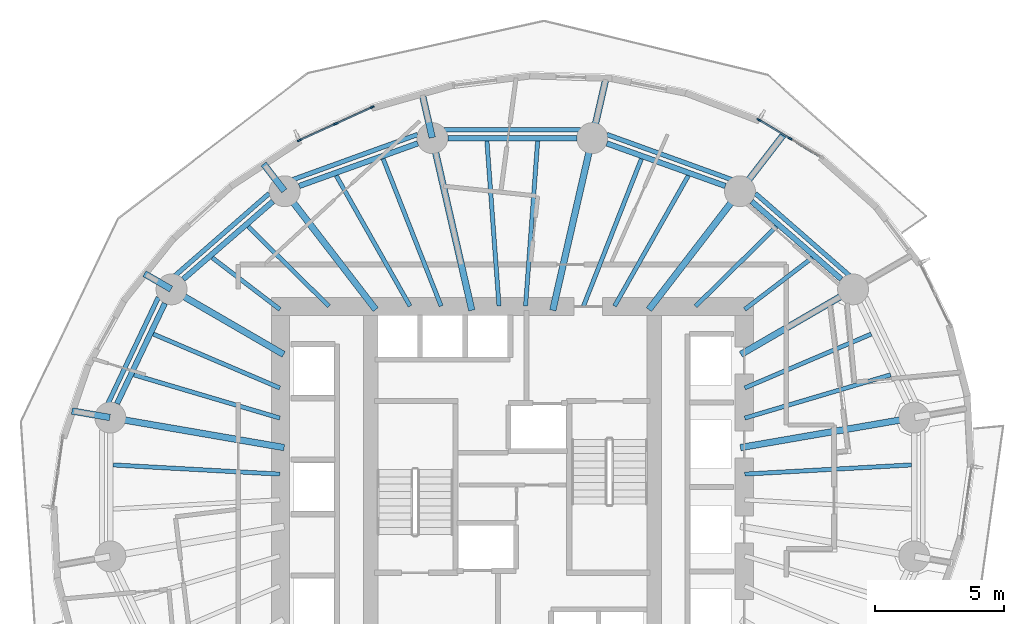
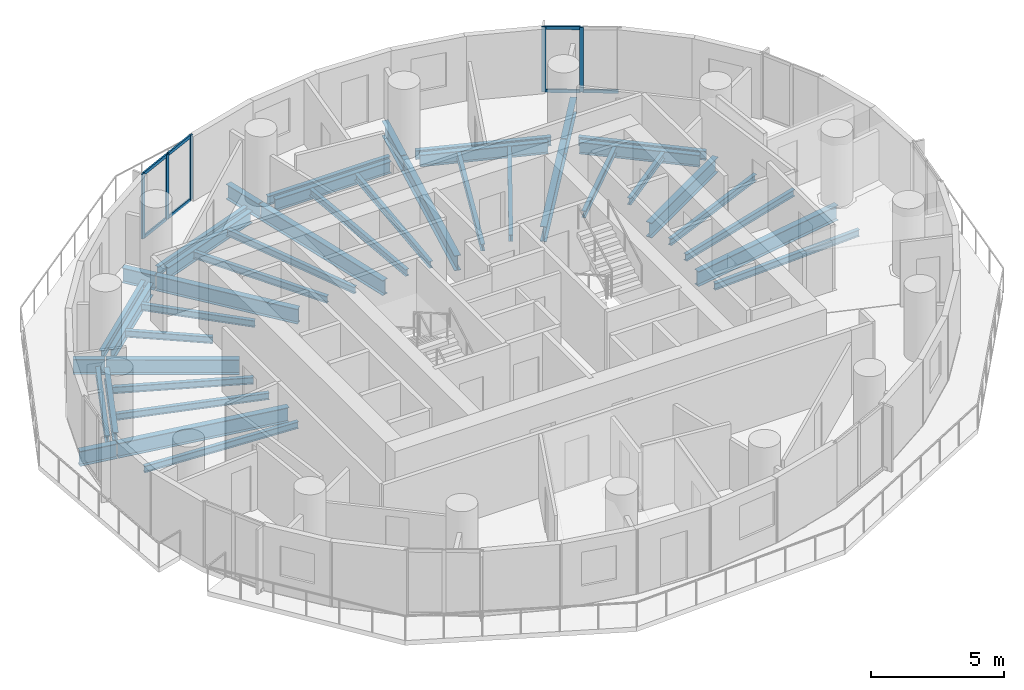
# One storey, part 4 of 14: 42 beams, 12 members, 2 elements without a shape of their own.
"""IFC4 building model written with IfcOpenShell, lengths in metres."""

from ifc_helpers import new_model, si_unit, direction, frame, origin, origin_2d, place, context, subcontext, project, spatial, rectangle, i_section, extrude, material, material_profile, profile_set, type_object, element, aggregate, save


model = new_model("IFC4")

# Units and contexts
model_context = context("Model", 3, precision=1e-05, world=origin(), true_north=direction((0.0, 1.0)))
body_context = subcontext(model_context, "Body", "Model", "MODEL_VIEW")
ifc_project = project(units=[si_unit("LENGTHUNIT", "METRE"), si_unit("AREAUNIT", "SQUARE_METRE"), si_unit("VOLUMEUNIT", "CUBIC_METRE"), si_unit("PLANEANGLEUNIT", "RADIAN"), si_unit("MASSUNIT", "GRAM", prefix="KILO")], contexts=[model_context])

# Site, building, storey
site_placement = place(None, origin())
site = spatial("IfcSite", under=ifc_project, at=site_placement, CompositionType="ELEMENT")
building_placement = place(site_placement, origin())
building = spatial("IfcBuilding", under=site, at=building_placement, Name="Veldorim Arch Residences", CompositionType="ELEMENT")
storey_placement = place(building_placement, frame((0.0, 0.0, 83.679931640625)))
storey = spatial("IfcBuildingStorey", under=building, at=storey_placement, Name="L24", CompositionType="ELEMENT", Elevation=83.679931640625)

# Beams
ifc_material_1 = material(Name="Steel S355", Category="steel")
ifc_material_profile_1 = material_profile(ifc_material_1, i_section(OverallWidth=0.2119140625, OverallDepth=0.54443359375, WebThickness=0.0126953125, FlangeThickness=0.021240234375, at=origin_2d()), Name="UB533x210x122")
ifc_profile_set_1 = profile_set([ifc_material_profile_1], Name="Steel S355")
beam_type_1 = type_object("IfcBeamType", Name="Structural Steel Beam UB533x210x122", PredefinedType="BEAM", material=ifc_profile_set_1)
beam_1_placement = place(storey_placement, frame((44.767333984375, 32.060302734375, -0.51220703125), z_axis=(-0.755244952556, 0.655442645576, 0.0), x_axis=(-0.655442645576, -0.755244952556, 0.0)))
element("IfcBeam", 1, at=beam_1_placement, inside=storey, type_object=beam_type_1, Name="L24 perimeter ring tie beam 02", PredefinedType="BEAM", context=body_context, shape_type="SweptSolid", body=[
    extrude(i_section(OverallWidth=0.2119140625, OverallDepth=0.54443359375, WebThickness=0.0126953125, FlangeThickness=0.021240234375, at=origin_2d()), origin(), (0.0, 0.0, 1.0), 4.608642578125),
])
beam_2_placement = place(storey_placement, frame((40.26904296875, 35.67724609375, -0.51220703125), z_axis=(-0.941041944493, 0.338289903343, 0.0), x_axis=(-0.338289903343, -0.941041944493, 0.0)))
element("IfcBeam", 2, at=beam_2_placement, inside=storey, type_object=beam_type_1, Name="L24 perimeter ring tie beam 03", PredefinedType="BEAM", context=body_context, shape_type="SweptSolid", body=[
    extrude(i_section(OverallWidth=0.2119140625, OverallDepth=0.54443359375, WebThickness=0.0126953125, FlangeThickness=0.021240234375, at=origin_2d()), origin(), (0.0, 0.0, 1.0), 4.890869140625),
])
beam_3_placement = place(storey_placement, frame((34.501953125, 37.534912109375, -0.51220703125), z_axis=(-1.0, 0.0, 0.0), x_axis=(0.0, -1.0, 0.0)))
element("IfcBeam", 3, at=beam_3_placement, inside=storey, type_object=beam_type_1, Name="L24 perimeter ring tie beam 04", PredefinedType="BEAM", context=body_context, shape_type="SweptSolid", body=[
    extrude(i_section(OverallWidth=0.2119140625, OverallDepth=0.54443359375, WebThickness=0.0126953125, FlangeThickness=0.021240234375, at=origin_2d()), origin(), (0.0, 0.0, 1.0), 5.00390625),
])
beam_4_placement = place(storey_placement, frame((28.33349609375, 37.331787109375, -0.51220703125), z_axis=(-0.941041944493, -0.338289903343, 0.0), x_axis=(0.338289903343, -0.941041944493, 0.0)))
element("IfcBeam", 4, at=beam_4_placement, inside=storey, type_object=beam_type_1, Name="L24 perimeter ring tie beam 05", PredefinedType="BEAM", context=body_context, shape_type="SweptSolid", body=[
    extrude(i_section(OverallWidth=0.2119140625, OverallDepth=0.54443359375, WebThickness=0.0126953125, FlangeThickness=0.021240234375, at=origin_2d()), origin(), (0.0, 0.0, 1.0), 4.890869140625),
])
beam_5_placement = place(storey_placement, frame((22.71337890625, 35.0810546875, -0.51220703125), z_axis=(-0.755244952556, -0.655442645576, 0.0), x_axis=(0.655442645576, -0.755244952556, 0.0)))
element("IfcBeam", 5, at=beam_5_placement, inside=storey, type_object=beam_type_1, Name="L24 perimeter ring tie beam 06", PredefinedType="BEAM", context=body_context, shape_type="SweptSolid", body=[
    extrude(i_section(OverallWidth=0.2119140625, OverallDepth=0.54443359375, WebThickness=0.0126953125, FlangeThickness=0.021240234375, at=origin_2d()), origin(), (0.0, 0.0, 1.0), 4.608642578125),
])
beam_6_placement = place(storey_placement, frame((18.521240234375, 31.12548828125, -0.51220703125), z_axis=(-0.430720154476, -0.902485539235, 0.0), x_axis=(0.902485539235, -0.430720154476, 0.0)))
element("IfcBeam", 6, at=beam_6_placement, inside=storey, type_object=beam_type_1, Name="L24 perimeter ring tie beam 07", PredefinedType="BEAM", context=body_context, shape_type="SweptSolid", body=[
    extrude(i_section(OverallWidth=0.2119140625, OverallDepth=0.54443359375, WebThickness=0.0126953125, FlangeThickness=0.021240234375, at=origin_2d()), origin(), (0.0, 0.0, 1.0), 4.312255859375),
])
ifc_material_2 = material(Name="Steel S355", Category="steel")
ifc_material_profile_2 = material_profile(ifc_material_2, i_section(OverallWidth=0.25439453125, OverallDepth=0.6875, WebThickness=0.01318359375, FlangeThickness=0.02099609375, at=origin_2d()), Name="UB686x254x152")
ifc_profile_set_2 = profile_set([ifc_material_profile_2], Name="Steel S355")
beam_type_2 = type_object("IfcBeamType", Name="Structural Steel GIRDER UB686x254x152", PredefinedType="USERDEFINED", material=ifc_profile_set_2)
beam_7_placement = place(storey_placement, frame((40.852294921875, 25.5283203125, -0.583740234375), z_axis=(0.985426622718, 0.17010106184, 0.0), x_axis=(-0.17010106184, 0.985426622718, 0.0)))
element("IfcBeam", 7, at=beam_7_placement, inside=storey, type_object=beam_type_2, Name="L24 radial floor girder 01", ObjectType="GIRDER", PredefinedType="USERDEFINED", context=body_context, shape_type="SweptSolid", body=[
    extrude(i_section(OverallWidth=0.25439453125, OverallDepth=0.6875, WebThickness=0.01318359375, FlangeThickness=0.02099609375, at=origin_2d()), origin(), (0.0, 0.0, 1.0), 6.82177734375),
])
beam_8_placement = place(storey_placement, frame((40.8701171875, 29.14404296875, -0.583740234375), z_axis=(0.865048957682, 0.501687453314, 0.0), x_axis=(-0.501687453314, 0.865048957682, 0.0)))
element("IfcBeam", 8, at=beam_8_placement, inside=storey, type_object=beam_type_2, Name="L24 radial floor girder 02", ObjectType="GIRDER", PredefinedType="USERDEFINED", context=body_context, shape_type="SweptSolid", body=[
    extrude(i_section(OverallWidth=0.25439453125, OverallDepth=0.6875, WebThickness=0.01318359375, FlangeThickness=0.02099609375, at=origin_2d()), origin(), (0.0, 0.0, 1.0), 5.009033203125),
])
beam_9_placement = place(storey_placement, frame((37.297607421875, 30.881103515625, -0.583740234375), z_axis=(0.609994628196, 0.792405548676, 0.0), x_axis=(-0.792405548676, 0.609994628196, 0.0)))
element("IfcBeam", 9, at=beam_9_placement, inside=storey, type_object=beam_type_2, Name="L24 radial floor girder 03", ObjectType="GIRDER", PredefinedType="USERDEFINED", context=body_context, shape_type="SweptSolid", body=[
    extrude(i_section(OverallWidth=0.25439453125, OverallDepth=0.6875, WebThickness=0.01318359375, FlangeThickness=0.02099609375, at=origin_2d()), origin(), (0.0, 0.0, 1.0), 5.776611328125),
])
beam_10_placement = place(storey_placement, frame((40.845703125, 35.489990234375, -0.583740234375), z_axis=(0.610003108496, 0.792399020459, 0.0), x_axis=(-0.792399020459, 0.610003108496, 0.0)))
element("IfcBeam", 10, at=beam_10_placement, inside=storey, type_object=beam_type_2, Name="L24 radial edge cantilever girder 03", ObjectType="GIRDER", PredefinedType="USERDEFINED", context=body_context, shape_type="SweptSolid", body=[
    extrude(i_section(OverallWidth=0.25439453125, OverallDepth=0.6875, WebThickness=0.01318359375, FlangeThickness=0.02099609375, at=origin_2d()), origin(), (0.0, 0.0, 1.0), 2.743896484375),
])
beam_11_placement = place(storey_placement, frame((33.57080078125, 30.853759765625, -0.583740234375), z_axis=(0.223374742148, 0.97473264261, 0.0), x_axis=(-0.97473264261, 0.223374742148, 0.0)))
element("IfcBeam", 11, at=beam_11_placement, inside=storey, type_object=beam_type_2, Name="L24 radial floor girder 04", ObjectType="GIRDER", PredefinedType="USERDEFINED", context=body_context, shape_type="SweptSolid", body=[
    extrude(i_section(OverallWidth=0.25439453125, OverallDepth=0.6875, WebThickness=0.01318359375, FlangeThickness=0.02099609375, at=origin_2d()), origin(), (0.0, 0.0, 1.0), 6.834228515625),
])
beam_12_placement = place(storey_placement, frame((35.1064453125, 37.55419921875, -0.583740234375), z_axis=(0.223325717101, 0.974743876145, 0.0), x_axis=(-0.974743876145, 0.223325717101, 0.0)))
element("IfcBeam", 12, at=beam_12_placement, inside=storey, type_object=beam_type_2, Name="L24 radial edge cantilever girder 04", ObjectType="GIRDER", PredefinedType="USERDEFINED", context=body_context, shape_type="SweptSolid", body=[
    extrude(i_section(OverallWidth=0.25439453125, OverallDepth=0.6875, WebThickness=0.01318359375, FlangeThickness=0.02099609375, at=origin_2d()), origin(), (0.0, 0.0, 1.0), 2.395263671875),
])
beam_13_placement = place(storey_placement, frame((30.42919921875, 30.853759765625, -0.583740234375), z_axis=(-0.223374742148, 0.97473264261, 0.0), x_axis=(-0.97473264261, -0.223374742148, 0.0)))
element("IfcBeam", 13, at=beam_13_placement, inside=storey, type_object=beam_type_2, Name="L24 radial floor girder 05", ObjectType="GIRDER", PredefinedType="USERDEFINED", context=body_context, shape_type="SweptSolid", body=[
    extrude(i_section(OverallWidth=0.25439453125, OverallDepth=0.6875, WebThickness=0.01318359375, FlangeThickness=0.02099609375, at=origin_2d()), origin(), (0.0, 0.0, 1.0), 6.834228515625),
])
beam_14_placement = place(storey_placement, frame((28.8935546875, 37.55419921875, -0.583740234375), z_axis=(-0.223398006298, 0.974727310986, 0.0), x_axis=(-0.974727310986, -0.223398006298, 0.0)))
element("IfcBeam", 14, at=beam_14_placement, inside=storey, type_object=beam_type_2, Name="L24 radial edge cantilever girder 05", ObjectType="GIRDER", PredefinedType="USERDEFINED", context=body_context, shape_type="SweptSolid", body=[
    extrude(i_section(OverallWidth=0.25439453125, OverallDepth=0.6875, WebThickness=0.01318359375, FlangeThickness=0.02099609375, at=origin_2d()), origin(), (0.0, 0.0, 1.0), 1.769287109375),
])
beam_15_placement = place(storey_placement, frame((26.702392578125, 30.881103515625, -0.583740234375), z_axis=(-0.609994628196, 0.792405548676, 0.0), x_axis=(-0.792405548676, -0.609994628196, 0.0)))
element("IfcBeam", 15, at=beam_15_placement, inside=storey, type_object=beam_type_2, Name="L24 radial floor girder 06", ObjectType="GIRDER", PredefinedType="USERDEFINED", context=body_context, shape_type="SweptSolid", body=[
    extrude(i_section(OverallWidth=0.25439453125, OverallDepth=0.6875, WebThickness=0.01318359375, FlangeThickness=0.02099609375, at=origin_2d()), origin(), (0.0, 0.0, 1.0), 5.776611328125),
])
beam_16_placement = place(storey_placement, frame((23.154296875, 35.489990234375, -0.583740234375), z_axis=(-0.609952716704, 0.792437810421, 0.0), x_axis=(-0.792437810421, -0.609952716704, 0.0)))
element("IfcBeam", 16, at=beam_16_placement, inside=storey, type_object=beam_type_2, Name="L24 radial edge cantilever girder 06", ObjectType="GIRDER", PredefinedType="USERDEFINED", context=body_context, shape_type="SweptSolid", body=[
    extrude(i_section(OverallWidth=0.25439453125, OverallDepth=0.6875, WebThickness=0.01318359375, FlangeThickness=0.02099609375, at=origin_2d()), origin(), (0.0, 0.0, 1.0), 1.31640625),
])
beam_17_placement = place(storey_placement, frame((23.1298828125, 29.14404296875, -0.583740234375), z_axis=(-0.865048957682, 0.501687453314, 0.0), x_axis=(-0.501687453314, -0.865048957682, 0.0)))
element("IfcBeam", 17, at=beam_17_placement, inside=storey, type_object=beam_type_2, Name="L24 radial floor girder 07", ObjectType="GIRDER", PredefinedType="USERDEFINED", context=body_context, shape_type="SweptSolid", body=[
    extrude(i_section(OverallWidth=0.25439453125, OverallDepth=0.6875, WebThickness=0.01318359375, FlangeThickness=0.02099609375, at=origin_2d()), origin(), (0.0, 0.0, 1.0), 5.009033203125),
])
beam_18_placement = place(storey_placement, frame((18.76220703125, 31.677001953125, -0.583740234375), z_axis=(-0.865034732672, 0.501711980394, 0.0), x_axis=(-0.501711980394, -0.865034732672, 0.0)))
element("IfcBeam", 18, at=beam_18_placement, inside=storey, type_object=beam_type_2, Name="L24 radial edge cantilever girder 07", ObjectType="GIRDER", PredefinedType="USERDEFINED", context=body_context, shape_type="SweptSolid", body=[
    extrude(i_section(OverallWidth=0.25439453125, OverallDepth=0.6875, WebThickness=0.01318359375, FlangeThickness=0.02099609375, at=origin_2d()), origin(), (0.0, 0.0, 1.0), 1.196044921875),
])
beam_19_placement = place(storey_placement, frame((23.147705078125, 25.5283203125, -0.583740234375), z_axis=(-0.985426622718, 0.17010106184, 0.0), x_axis=(-0.17010106184, -0.985426622718, 0.0)))
element("IfcBeam", 19, at=beam_19_placement, inside=storey, type_object=beam_type_2, Name="L24 radial floor girder 08", ObjectType="GIRDER", PredefinedType="USERDEFINED", context=body_context, shape_type="SweptSolid", body=[
    extrude(i_section(OverallWidth=0.25439453125, OverallDepth=0.6875, WebThickness=0.01318359375, FlangeThickness=0.02099609375, at=origin_2d()), origin(), (0.0, 0.0, 1.0), 6.82177734375),
])
beam_20_placement = place(storey_placement, frame((16.3857421875, 26.695556640625, -0.583740234375), z_axis=(-0.985432749293, 0.170065565652, 0.0), x_axis=(-0.170065565652, -0.985432749293, 0.0)))
element("IfcBeam", 20, at=beam_20_placement, inside=storey, type_object=beam_type_2, Name="L24 radial edge cantilever girder 08", ObjectType="GIRDER", PredefinedType="USERDEFINED", context=body_context, shape_type="SweptSolid", body=[
    extrude(i_section(OverallWidth=0.25439453125, OverallDepth=0.6875, WebThickness=0.01318359375, FlangeThickness=0.02099609375, at=origin_2d()), origin(), (0.0, 0.0, 1.0), 1.494384765625),
])
ifc_material_3 = material(Name="Steel S355", Category="steel")
ifc_material_profile_3 = material_profile(ifc_material_3, i_section(OverallWidth=0.165771484375, OverallDepth=0.306640625, WebThickness=0.006591796875, FlangeThickness=0.01171875, at=origin_2d()), Name="UB305x165x46")
ifc_profile_set_3 = profile_set([ifc_material_profile_3], Name="Steel S355")
beam_type_3 = type_object("IfcBeamType", Name="Structural Steel Joist UB305x165x46", PredefinedType="JOIST", material=ifc_profile_set_3)
beam_21_placement = place(storey_placement, frame((41.019287109375, 26.673583984375, -0.393310546875), z_axis=(0.958753061488, 0.284240333324, 0.0), x_axis=(-0.284240333324, 0.958753061488, 0.0)))
element("IfcBeam", 21, at=beam_21_placement, inside=storey, type_object=beam_type_3, Name="L24 secondary radial floor joist 01-1", PredefinedType="JOIST", context=body_context, shape_type="SweptSolid", body=[
    extrude(i_section(OverallWidth=0.165771484375, OverallDepth=0.306640625, WebThickness=0.006591796875, FlangeThickness=0.01171875, at=origin_2d()), origin(), (0.0, 0.0, 1.0), 5.906005859375),
])
beam_22_placement = place(storey_placement, frame((41.018310546875, 27.841552734375, -0.393310546875), z_axis=(0.919997395122, 0.391924473552, 0.0), x_axis=(-0.391924473552, 0.919997395122, 0.0)))
element("IfcBeam", 22, at=beam_22_placement, inside=storey, type_object=beam_type_3, Name="L24 secondary radial floor joist 01-2", PredefinedType="JOIST", context=body_context, shape_type="SweptSolid", body=[
    extrude(i_section(OverallWidth=0.165771484375, OverallDepth=0.306640625, WebThickness=0.006591796875, FlangeThickness=0.01171875, at=origin_2d()), origin(), (0.0, 0.0, 1.0), 5.334716796875),
])
beam_23_placement = place(storey_placement, frame((41.015869140625, 30.888427734375, -0.393310546875), z_axis=(0.794594763594, 0.60714014994, 0.0), x_axis=(-0.60714014994, 0.794594763594, 0.0)))
element("IfcBeam", 23, at=beam_23_placement, inside=storey, type_object=beam_type_3, Name="L24 secondary radial floor joist 02-1", PredefinedType="JOIST", context=body_context, shape_type="SweptSolid", body=[
    extrude(i_section(OverallWidth=0.165771484375, OverallDepth=0.306640625, WebThickness=0.006591796875, FlangeThickness=0.01171875, at=origin_2d()), origin(), (0.0, 0.0, 1.0), 3.30419921875),
])
beam_24_placement = place(storey_placement, frame((39.114013671875, 31.013916015625, -0.393310546875), z_axis=(0.712111629941, 0.702066255066, 0.0), x_axis=(-0.702066255066, 0.712111629941, 0.0)))
element("IfcBeam", 24, at=beam_24_placement, inside=storey, type_object=beam_type_3, Name="L24 secondary radial floor joist 02-2", PredefinedType="JOIST", context=body_context, shape_type="SweptSolid", body=[
    extrude(i_section(OverallWidth=0.165771484375, OverallDepth=0.306640625, WebThickness=0.006591796875, FlangeThickness=0.01171875, at=origin_2d()), origin(), (0.0, 0.0, 1.0), 4.39892578125),
])
beam_25_placement = place(storey_placement, frame((35.96826171875, 31.017333984375, -0.393310546875), z_axis=(0.492227411199, 0.870466642476, 0.0), x_axis=(-0.870466642476, 0.492227411199, 0.0)))
element("IfcBeam", 25, at=beam_25_placement, inside=storey, type_object=beam_type_3, Name="L24 secondary radial floor joist 03-1", PredefinedType="JOIST", context=body_context, shape_type="SweptSolid", body=[
    extrude(i_section(OverallWidth=0.165771484375, OverallDepth=0.306640625, WebThickness=0.006591796875, FlangeThickness=0.01171875, at=origin_2d()), origin(), (0.0, 0.0, 1.0), 5.81494140625),
])
beam_26_placement = place(storey_placement, frame((34.761962890625, 31.0185546875, -0.393310546875), z_axis=(0.366194870364, 0.930538186707, 0.0), x_axis=(-0.930538186707, 0.366194870364, 0.0)))
element("IfcBeam", 26, at=beam_26_placement, inside=storey, type_object=beam_type_3, Name="L24 secondary radial floor joist 03-2", PredefinedType="JOIST", context=body_context, shape_type="SweptSolid", body=[
    extrude(i_section(OverallWidth=0.165771484375, OverallDepth=0.306640625, WebThickness=0.006591796875, FlangeThickness=0.01171875, at=origin_2d()), origin(), (0.0, 0.0, 1.0), 6.1396484375),
])
for number, where, z_axis, x_axis, name in (
    (27, (32.514892578125, 31.02001953125, -0.393310546875), (0.073143494169, 0.997321427254, 0.0), (-0.997321427254, 0.073143494169, 0.0), "L24 secondary radial floor joist 04-1"),
    (28, (31.485107421875, 31.02001953125, -0.393310546875), (-0.073143494169, 0.997321427254, 0.0), (-0.997321427254, -0.073143494169, 0.0), "L24 secondary radial floor joist 04-2"),
):
    element("IfcBeam", number, at=place(storey_placement, frame(where, z_axis=z_axis, x_axis=x_axis)), inside=storey, type_object=beam_type_3, Name=name, PredefinedType="JOIST", context=body_context, shape_type="SweptSolid", body=[
        extrude(i_section(OverallWidth=0.165771484375, OverallDepth=0.306640625, WebThickness=0.006591796875, FlangeThickness=0.01171875, at=origin_2d()), origin(), (0.0, 0.0, 1.0), 6.421875),
    ])
beam_27_placement = place(storey_placement, frame((29.238037109375, 31.0185546875, -0.393310546875), z_axis=(-0.366194870364, 0.930538186707, 0.0), x_axis=(-0.930538186707, -0.366194870364, 0.0)))
element("IfcBeam", 29, at=beam_27_placement, inside=storey, type_object=beam_type_3, Name="L24 secondary radial floor joist 05-1", PredefinedType="JOIST", context=body_context, shape_type="SweptSolid", body=[
    extrude(i_section(OverallWidth=0.165771484375, OverallDepth=0.306640625, WebThickness=0.006591796875, FlangeThickness=0.01171875, at=origin_2d()), origin(), (0.0, 0.0, 1.0), 6.1396484375),
])
beam_28_placement = place(storey_placement, frame((28.03173828125, 31.017333984375, -0.393310546875), z_axis=(-0.492227411199, 0.870466642476, 0.0), x_axis=(-0.870466642476, -0.492227411199, 0.0)))
element("IfcBeam", 30, at=beam_28_placement, inside=storey, type_object=beam_type_3, Name="L24 secondary radial floor joist 05-2", PredefinedType="JOIST", context=body_context, shape_type="SweptSolid", body=[
    extrude(i_section(OverallWidth=0.165771484375, OverallDepth=0.306640625, WebThickness=0.006591796875, FlangeThickness=0.01171875, at=origin_2d()), origin(), (0.0, 0.0, 1.0), 5.81494140625),
])
beam_29_placement = place(storey_placement, frame((24.885986328125, 31.013916015625, -0.393310546875), z_axis=(-0.712111629941, 0.702066255066, 0.0), x_axis=(-0.702066255066, -0.712111629941, 0.0)))
element("IfcBeam", 31, at=beam_29_placement, inside=storey, type_object=beam_type_3, Name="L24 secondary radial floor joist 06-1", PredefinedType="JOIST", context=body_context, shape_type="SweptSolid", body=[
    extrude(i_section(OverallWidth=0.165771484375, OverallDepth=0.306640625, WebThickness=0.006591796875, FlangeThickness=0.01171875, at=origin_2d()), origin(), (0.0, 0.0, 1.0), 4.39892578125),
])
beam_30_placement = place(storey_placement, frame((22.984130859375, 30.888427734375, -0.393310546875), z_axis=(-0.794594763594, 0.60714014994, 0.0), x_axis=(-0.60714014994, -0.794594763594, 0.0)))
element("IfcBeam", 32, at=beam_30_placement, inside=storey, type_object=beam_type_3, Name="L24 secondary radial floor joist 06-2", PredefinedType="JOIST", context=body_context, shape_type="SweptSolid", body=[
    extrude(i_section(OverallWidth=0.165771484375, OverallDepth=0.306640625, WebThickness=0.006591796875, FlangeThickness=0.01171875, at=origin_2d()), origin(), (0.0, 0.0, 1.0), 3.30419921875),
])
beam_31_placement = place(storey_placement, frame((22.981689453125, 27.841552734375, -0.393310546875), z_axis=(-0.919997395122, 0.391924473552, 0.0), x_axis=(-0.391924473552, -0.919997395122, 0.0)))
element("IfcBeam", 33, at=beam_31_placement, inside=storey, type_object=beam_type_3, Name="L24 secondary radial floor joist 07-1", PredefinedType="JOIST", context=body_context, shape_type="SweptSolid", body=[
    extrude(i_section(OverallWidth=0.165771484375, OverallDepth=0.306640625, WebThickness=0.006591796875, FlangeThickness=0.01171875, at=origin_2d()), origin(), (0.0, 0.0, 1.0), 5.334716796875),
])
beam_32_placement = place(storey_placement, frame((22.980712890625, 26.673583984375, -0.393310546875), z_axis=(-0.958753061488, 0.284240333324, 0.0), x_axis=(-0.284240333324, -0.958753061488, 0.0)))
element("IfcBeam", 34, at=beam_32_placement, inside=storey, type_object=beam_type_3, Name="L24 secondary radial floor joist 07-2", PredefinedType="JOIST", context=body_context, shape_type="SweptSolid", body=[
    extrude(i_section(OverallWidth=0.165771484375, OverallDepth=0.306640625, WebThickness=0.006591796875, FlangeThickness=0.01171875, at=origin_2d()), origin(), (0.0, 0.0, 1.0), 5.906005859375),
])
for number, where, z_axis, x_axis, name in (
    (35, (22.97998046875, 24.498291015625, -0.393310546875), (-0.99847713097, 0.055167190702, 0.0), (-0.055167190702, -0.99847713097, 0.0), "L24 secondary radial floor joist 08-1"),
    (36, (41.02001953125, 24.498291015625, -0.393310546875), (0.99847713097, 0.055167190702, 0.0), (-0.055167190702, 0.99847713097, 0.0), "L24 secondary radial floor joist 16-2"),
):
    element("IfcBeam", number, at=place(storey_placement, frame(where, z_axis=z_axis, x_axis=x_axis)), inside=storey, type_object=beam_type_3, Name=name, PredefinedType="JOIST", context=body_context, shape_type="SweptSolid", body=[
        extrude(i_section(OverallWidth=0.165771484375, OverallDepth=0.306640625, WebThickness=0.006591796875, FlangeThickness=0.01171875, at=origin_2d()), origin(), (0.0, 0.0, 1.0), 6.474365234375),
    ])
ifc_material_4 = material(Name="Steel S355", Category="steel")
ifc_material_profile_4 = material_profile(ifc_material_4, i_section(OverallWidth=0.1787109375, OverallDepth=0.409423828125, WebThickness=0.0087890625, FlangeThickness=0.014404296875, at=origin_2d()), Name="UB406x178x67")
ifc_profile_set_4 = profile_set([ifc_material_profile_4], Name="Steel S355")
beam_type_4 = type_object("IfcBeamType", Name="Structural Steel Spandrel UB406x178x67", PredefinedType="SPANDREL", material=ifc_profile_set_4)
beam_33_placement = place(storey_placement, frame((45.108154296875, 32.1796875, -0.464599609375), z_axis=(-0.753323239074, 0.65765043714, 0.0), x_axis=(-0.65765043714, -0.753323239074, 0.0)))
element("IfcBeam", 37, at=beam_33_placement, inside=storey, type_object=beam_type_4, Name="L24 perimeter chord spandrel beam 02", PredefinedType="SPANDREL", context=body_context, shape_type="SweptSolid", body=[
    extrude(i_section(OverallWidth=0.1787109375, OverallDepth=0.409423828125, WebThickness=0.0087890625, FlangeThickness=0.014404296875, at=origin_2d()), origin(), (0.0, 0.0, 1.0), 4.879150390625),
])
beam_34_placement = place(storey_placement, frame((40.538330078125, 35.91552734375, -0.464599609375), z_axis=(-0.940307501418, 0.340326024244, 0.0), x_axis=(-0.340326024244, -0.940307501418, 0.0)))
element("IfcBeam", 38, at=beam_34_placement, inside=storey, type_object=beam_type_4, Name="L24 perimeter chord spandrel beam 03", PredefinedType="SPANDREL", context=body_context, shape_type="SweptSolid", body=[
    extrude(i_section(OverallWidth=0.1787109375, OverallDepth=0.409423828125, WebThickness=0.0087890625, FlangeThickness=0.014404296875, at=origin_2d()), origin(), (0.0, 0.0, 1.0), 5.175048828125),
])
beam_35_placement = place(storey_placement, frame((34.647705078125, 37.8564453125, -0.464599609375), z_axis=(-1.0, 0.0, 0.0), x_axis=(0.0, -1.0, 0.0)))
element("IfcBeam", 39, at=beam_35_placement, inside=storey, type_object=beam_type_4, Name="L24 perimeter chord spandrel beam 04", PredefinedType="SPANDREL", context=body_context, shape_type="SweptSolid", body=[
    extrude(i_section(OverallWidth=0.1787109375, OverallDepth=0.409423828125, WebThickness=0.0087890625, FlangeThickness=0.014404296875, at=origin_2d()), origin(), (0.0, 0.0, 1.0), 5.29541015625),
])
beam_36_placement = place(storey_placement, frame((28.327880859375, 37.6767578125, -0.464599609375), z_axis=(-0.940307501418, -0.340326024244, 0.0), x_axis=(0.340326024244, -0.940307501418, 0.0)))
element("IfcBeam", 40, at=beam_36_placement, inside=storey, type_object=beam_type_4, Name="L24 perimeter chord spandrel beam 05", PredefinedType="SPANDREL", context=body_context, shape_type="SweptSolid", body=[
    extrude(i_section(OverallWidth=0.1787109375, OverallDepth=0.409423828125, WebThickness=0.0087890625, FlangeThickness=0.014404296875, at=origin_2d()), origin(), (0.0, 0.0, 1.0), 5.175048828125),
])
beam_37_placement = place(storey_placement, frame((22.5673828125, 35.388427734375, -0.464599609375), z_axis=(-0.753323239074, -0.65765043714, 0.0), x_axis=(0.65765043714, -0.753323239074, 0.0)))
element("IfcBeam", 41, at=beam_37_placement, inside=storey, type_object=beam_type_4, Name="L24 perimeter chord spandrel beam 06", PredefinedType="SPANDREL", context=body_context, shape_type="SweptSolid", body=[
    extrude(i_section(OverallWidth=0.1787109375, OverallDepth=0.409423828125, WebThickness=0.0087890625, FlangeThickness=0.014404296875, at=origin_2d()), origin(), (0.0, 0.0, 1.0), 4.879150390625),
])
beam_38_placement = place(storey_placement, frame((18.267578125, 31.35546875, -0.464599609375), z_axis=(-0.428857472204, -0.903372165021, 0.0), x_axis=(0.903372165021, -0.428857472204, 0.0)))
element("IfcBeam", 42, at=beam_38_placement, inside=storey, type_object=beam_type_4, Name="L24 perimeter chord spandrel beam 07", PredefinedType="SPANDREL", context=body_context, shape_type="SweptSolid", body=[
    extrude(i_section(OverallWidth=0.1787109375, OverallDepth=0.409423828125, WebThickness=0.0087890625, FlangeThickness=0.014404296875, at=origin_2d()), origin(), (0.0, 0.0, 1.0), 4.572021484375),
])

# Curtain wall, members
ifc_material_5 = material(Name="Aluminium", Category="aluminium")
curtain_wall_type = type_object("IfcCurtainWallType", Name="Zone 2 Solar-Control Unitised Curtain Wall", PredefinedType="NOTDEFINED", material=ifc_material_5)
curtain_wall_1_placement = place(storey_placement, origin())
curtain_wall_1 = element("IfcCurtainWall", 43, at=curtain_wall_1_placement, inside=storey, type_object=curtain_wall_type, Name="L24 unitised curtain wall bay 04", PredefinedType="NOTDEFINED")
ifc_material_6 = material(Name="Aluminium", Category="aluminium")
ifc_material_profile_5 = material_profile(ifc_material_6, rectangle(XDim=0.06494140625, YDim=0.1650390625, at=origin_2d()), Name="ALU_MUL_65x165")
ifc_profile_set_5 = profile_set([ifc_material_profile_5], Name="Aluminium")
member_type_1 = type_object("IfcMemberType", Name="Zone 2 Solar-Control Unitised Curtain Wall Mullion 65x165", PredefinedType="MULLION", material=ifc_profile_set_5)
member_1_placement = place(storey_placement, frame((41.569091796875, 38.244873046875, 0.0), z_axis=(0.0, 0.0, 1.0), x_axis=(0.514313089023, 0.857602499098, 0.0)))
member_1 = element("IfcMember", 44, at=member_1_placement, type_object=member_type_1, Name="CW-Z2 mullion 1", PredefinedType="MULLION", context=body_context, shape_type="SweptSolid", body=[
    extrude(rectangle(XDim=0.06494140625, YDim=0.1650390625, at=origin_2d()), origin(), (0.0, 0.0, 1.0), 2.9599609375),
])
member_2_placement = place(storey_placement, frame((42.7841796875, 37.516357421875, 0.0), z_axis=(0.0, 0.0, 1.0), x_axis=(0.514313089023, 0.857602499098, 0.0)))
member_2 = element("IfcMember", 45, at=member_2_placement, type_object=member_type_1, Name="CW-Z2 mullion 2", PredefinedType="MULLION", context=body_context, shape_type="SweptSolid", body=[
    extrude(rectangle(XDim=0.06494140625, YDim=0.1650390625, at=origin_2d()), origin(), (0.0, 0.0, 1.0), 2.9599609375),
])

curtain_wall_2_placement = place(storey_placement, origin())
curtain_wall_2 = element("IfcCurtainWall", 46, at=curtain_wall_2_placement, inside=storey, type_object=curtain_wall_type, Name="L24 unitised curtain wall bay 10", PredefinedType="NOTDEFINED")
member_3_placement = place(storey_placement, frame((23.737548828125, 37.448974609375, 0.0), z_axis=(0.0, 0.0, 1.0), x_axis=(-0.414741699201, 0.909939186399, 0.0)))
member_3 = element("IfcMember", 47, at=member_3_placement, type_object=member_type_1, Name="CW-Z2 mullion 1", PredefinedType="MULLION", context=body_context, shape_type="SweptSolid", body=[
    extrude(rectangle(XDim=0.06494140625, YDim=0.1650390625, at=origin_2d()), origin(), (0.0, 0.0, 1.0), 2.9599609375),
])
member_4_placement = place(storey_placement, frame((25.14990234375, 38.0927734375, 0.0), z_axis=(0.0, 0.0, 1.0), x_axis=(-0.414741699201, 0.909939186399, 0.0)))
member_4 = element("IfcMember", 48, at=member_4_placement, type_object=member_type_1, Name="CW-Z2 mullion 2", PredefinedType="MULLION", context=body_context, shape_type="SweptSolid", body=[
    extrude(rectangle(XDim=0.06494140625, YDim=0.1650390625, at=origin_2d()), origin(), (0.0, 0.0, 1.0), 2.9599609375),
])
member_5_placement = place(storey_placement, frame((26.562255859375, 38.736572265625, 0.0), z_axis=(0.0, 0.0, 1.0), x_axis=(-0.414741699201, 0.909939186399, 0.0)))
member_5 = element("IfcMember", 49, at=member_5_placement, type_object=member_type_1, Name="CW-Z2 mullion 3", PredefinedType="MULLION", context=body_context, shape_type="SweptSolid", body=[
    extrude(rectangle(XDim=0.06494140625, YDim=0.1650390625, at=origin_2d()), origin(), (0.0, 0.0, 1.0), 2.9599609375),
])

# Member
ifc_material_7 = material(Name="Aluminium", Category="aluminium")
ifc_material_profile_6 = material_profile(ifc_material_7, rectangle(XDim=0.06494140625, YDim=0.14501953125, at=origin_2d()), Name="ALU_TRN_65x145")
ifc_profile_set_6 = profile_set([ifc_material_profile_6], Name="Aluminium")
member_type_2 = type_object("IfcMemberType", Name="Zone 2 Solar-Control Unitised Curtain Wall Transom 65x145", PredefinedType="USERDEFINED", material=ifc_profile_set_6)
member_6_placement = place(storey_placement, frame((41.596923828125, 38.228271484375, 0.032470703125), z_axis=(0.857604444173, -0.514309845653, 0.0), x_axis=(0.514309845653, 0.857604444173, 0.0)))
member_6 = element("IfcMember", 50, at=member_6_placement, type_object=member_type_2, Name="CW-Z2 transom 1.1", ObjectType="TRANSOM", PredefinedType="USERDEFINED", context=body_context, shape_type="SweptSolid", body=[
    extrude(rectangle(XDim=0.06494140625, YDim=0.14501953125, at=origin_2d()), origin(), (0.0, 0.0, 1.0), 1.35205078125),
])

member_7_placement = place(storey_placement, frame((41.596923828125, 38.228271484375, 2.927490234375), z_axis=(0.857604444173, -0.514309845653, 0.0), x_axis=(0.514309845653, 0.857604444173, 0.0)))
member_7 = element("IfcMember", 51, at=member_7_placement, type_object=member_type_2, Name="CW-Z2 transom 1.2", ObjectType="TRANSOM", PredefinedType="USERDEFINED", context=body_context, shape_type="SweptSolid", body=[
    extrude(rectangle(XDim=0.06494140625, YDim=0.14501953125, at=origin_2d()), origin(), (0.0, 0.0, 1.0), 1.35205078125),
])

member_8_placement = place(storey_placement, frame((42.81201171875, 37.49951171875, 0.032470703125), z_axis=(0.857636334709, -0.514256664894, 0.0), x_axis=(0.514256664894, 0.857636334709, 0.0)))
member_8 = element("IfcMember", 52, at=member_8_placement, type_object=member_type_2, Name="CW-Z2 transom 2.1", ObjectType="TRANSOM", PredefinedType="USERDEFINED", context=body_context, shape_type="SweptSolid", body=[
    extrude(rectangle(XDim=0.06494140625, YDim=0.14501953125, at=origin_2d()), origin(), (0.0, 0.0, 1.0), 1.3515625),
])

aggregate(curtain_wall_1, [member_1, member_2, member_6, member_7, member_8])

member_9_placement = place(storey_placement, frame((23.76708984375, 37.462646484375, 0.032470703125), z_axis=(0.909966885457, 0.414680922364, 0.0), x_axis=(-0.414680922364, 0.909966885457, 0.0)))
member_9 = element("IfcMember", 53, at=member_9_placement, type_object=member_type_2, Name="CW-Z2 transom 1.1", ObjectType="TRANSOM", PredefinedType="USERDEFINED", context=body_context, shape_type="SweptSolid", body=[
    extrude(rectangle(XDim=0.06494140625, YDim=0.14501953125, at=origin_2d()), origin(), (0.0, 0.0, 1.0), 1.487060546875),
])

member_10_placement = place(storey_placement, frame((23.76708984375, 37.462646484375, 2.927490234375), z_axis=(0.909966885457, 0.414680922364, 0.0), x_axis=(-0.414680922364, 0.909966885457, 0.0)))
member_10 = element("IfcMember", 54, at=member_10_placement, type_object=member_type_2, Name="CW-Z2 transom 1.2", ObjectType="TRANSOM", PredefinedType="USERDEFINED", context=body_context, shape_type="SweptSolid", body=[
    extrude(rectangle(XDim=0.06494140625, YDim=0.14501953125, at=origin_2d()), origin(), (0.0, 0.0, 1.0), 1.487060546875),
])

member_11_placement = place(storey_placement, frame((25.179443359375, 38.1064453125, 0.032470703125), z_axis=(0.909966885457, 0.414680922364, 0.0), x_axis=(-0.414680922364, 0.909966885457, 0.0)))
member_11 = element("IfcMember", 55, at=member_11_placement, type_object=member_type_2, Name="CW-Z2 transom 2.1", ObjectType="TRANSOM", PredefinedType="USERDEFINED", context=body_context, shape_type="SweptSolid", body=[
    extrude(rectangle(XDim=0.06494140625, YDim=0.14501953125, at=origin_2d()), origin(), (0.0, 0.0, 1.0), 1.487060546875),
])

member_12_placement = place(storey_placement, frame((25.179443359375, 38.1064453125, 2.927490234375), z_axis=(0.909966885457, 0.414680922364, 0.0), x_axis=(-0.414680922364, 0.909966885457, 0.0)))
member_12 = element("IfcMember", 56, at=member_12_placement, type_object=member_type_2, Name="CW-Z2 transom 2.2", ObjectType="TRANSOM", PredefinedType="USERDEFINED", context=body_context, shape_type="SweptSolid", body=[
    extrude(rectangle(XDim=0.06494140625, YDim=0.14501953125, at=origin_2d()), origin(), (0.0, 0.0, 1.0), 1.487060546875),
])

aggregate(curtain_wall_2, [member_3, member_4, member_5, member_9, member_10, member_11, member_12])

save(model, "model.ifc")
